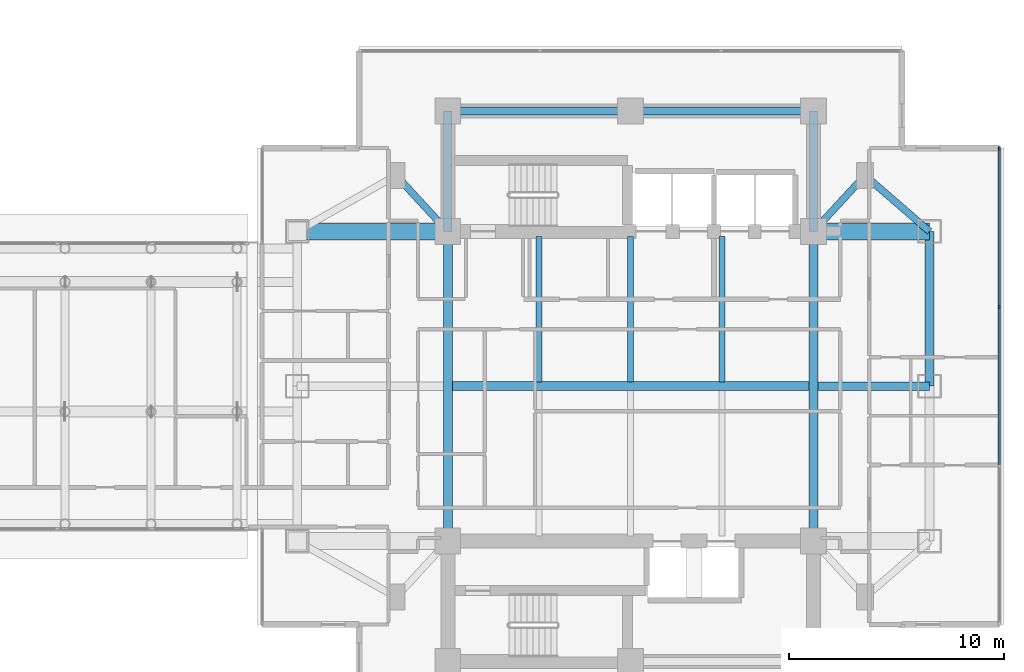
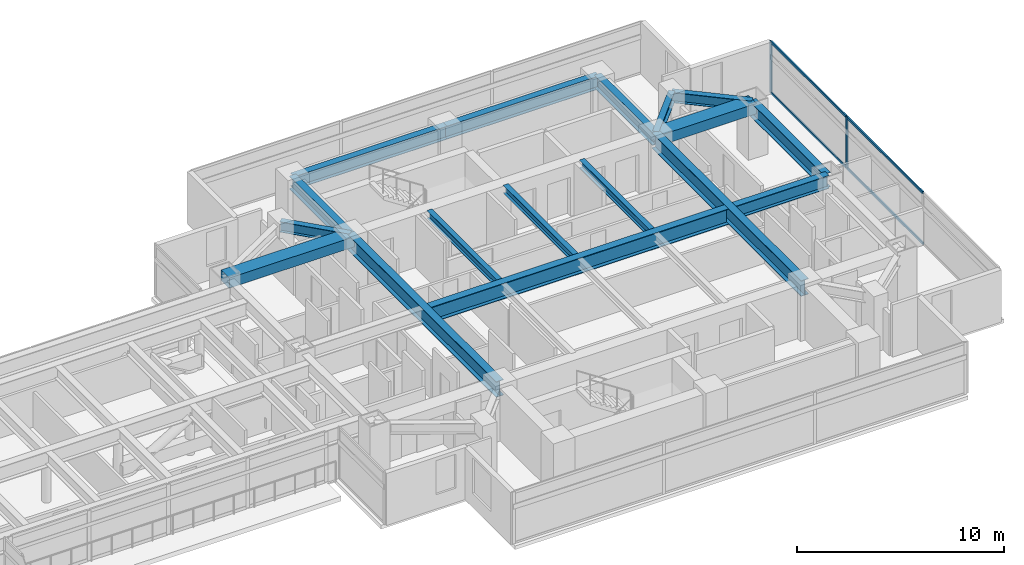
# One storey, part 10 of 29: 17 beams, 6 members, 1 element without a shape of its own.
"""IFC4 building model written with IfcOpenShell, lengths in metres."""

from ifc_helpers import new_model, si_unit, direction, frame, origin, origin_2d, place, context, subcontext, project, spatial, rectangle, i_section, extrude, material, material_profile, profile_set, type_object, element, aggregate, save


model = new_model("IFC4")

# Units and contexts
model_context = context("Model", 3, precision=1e-05, world=origin(), true_north=direction((0.0, 1.0)))
body_context = subcontext(model_context, "Body", "Model", "MODEL_VIEW")
ifc_project = project(units=[si_unit("LENGTHUNIT", "METRE"), si_unit("AREAUNIT", "SQUARE_METRE"), si_unit("VOLUMEUNIT", "CUBIC_METRE"), si_unit("PLANEANGLEUNIT", "RADIAN"), si_unit("MASSUNIT", "GRAM", prefix="KILO")], contexts=[model_context])

# Site, building, storey
site_placement = place(None, origin())
site = spatial("IfcSite", under=ifc_project, at=site_placement, CompositionType="ELEMENT")
building_placement = place(site_placement, origin())
building = spatial("IfcBuilding", under=site, at=building_placement, Name="Mirazonda Arch Towers", CompositionType="ELEMENT")
storey_placement = place(building_placement, frame((0.0, 0.0, 88.39990234375)))
storey = spatial("IfcBuildingStorey", under=building, at=storey_placement, Name="L24", CompositionType="ELEMENT", Elevation=88.39990234375)

# Beams
ifc_material_1 = material(Name="Steel ASTM A992 Grade 50", Category="steel")
ifc_material_profile_1 = material_profile(ifc_material_1, i_section(OverallWidth=0.39990234375, OverallDepth=0.85595703125, WebThickness=0.018310546875, FlangeThickness=0.029296875, at=origin_2d()), Name="W33X201")
ifc_profile_set_1 = profile_set([ifc_material_profile_1], Name="Steel ASTM A992 Grade 50")
beam_type_1 = type_object("IfcBeamType", Name="BM-EXT-W33X201", PredefinedType="USERDEFINED", material=ifc_profile_set_1)
beam_1_placement = place(storey_placement, frame((90.39990234375, 28.0, 2.652099609375), z_axis=(0.0, 1.0, 0.0), x_axis=(-1.0, 0.0, 0.0)))
element("IfcBeam", 1, at=beam_1_placement, inside=storey, type_object=beam_type_1, Name="L24 Floor Beam BM-T2-L24-NS-E-28", ObjectType="GIRDER", PredefinedType="USERDEFINED", context=body_context, shape_type="SweptSolid", body=[
    extrude(i_section(OverallWidth=0.39990234375, OverallDepth=0.85595703125, WebThickness=0.018310546875, FlangeThickness=0.029296875, at=origin_2d()), origin(), (0.0, 0.0, 1.0), 7.199951171875),
])
ifc_material_profile_2 = material_profile(ifc_material_1, i_section(OverallWidth=0.280029296875, OverallDepth=0.462890625, WebThickness=0.0107421875, FlangeThickness=0.017333984375, at=origin_2d()), Name="W18X76")
ifc_profile_set_2 = profile_set([ifc_material_profile_2], Name="Steel ASTM A992 Grade 50")
beam_type_2 = type_object("IfcBeamType", Name="BM-INT-W18X76", PredefinedType="JOIST", material=ifc_profile_set_2)
for number, where, z_axis, x_axis, name in (
    (2, (72.25, 28.205078125, 2.8486328125), (0.0, 1.0, 0.0), (-1.0, 0.0, 0.0), "L24 Floor Beam BM-T2-L24-J-722-28"),
    (3, (76.5, 28.205078125, 2.8486328125), (0.0, 1.0, 0.0), (-1.0, 0.0, 0.0), "L24 Floor Beam BM-T2-L24-J-765-28"),
    (4, (80.75, 28.205078125, 2.8486328125), (0.0, 1.0, 0.0), (-1.0, 0.0, 0.0), "L24 Floor Beam BM-T2-L24-J-807-28"),
):
    element("IfcBeam", number, at=place(storey_placement, frame(where, z_axis=z_axis, x_axis=x_axis)), inside=storey, type_object=beam_type_2, Name=name, PredefinedType="JOIST", context=body_context, shape_type="SweptSolid", body=[
        extrude(i_section(OverallWidth=0.280029296875, OverallDepth=0.462890625, WebThickness=0.0107421875, FlangeThickness=0.017333984375, at=origin_2d()), origin(), (0.0, 0.0, 1.0), 6.7548828125),
    ])
ifc_material_profile_3 = material_profile(ifc_material_1, i_section(OverallWidth=0.324951171875, OverallDepth=0.615966796875, WebThickness=0.013916015625, FlangeThickness=0.021484375, at=origin_2d()), Name="W24X117")
ifc_profile_set_3 = profile_set([ifc_material_profile_3], Name="Steel ASTM A992 Grade 50")
beam_type_3 = type_object("IfcBeamType", Name="BM-INT-W24X117", PredefinedType="BEAM", material=ifc_profile_set_3)
for number, where, z_axis, x_axis, name in (
    (5, (65.60009765625, 37.800048828125, 2.772216796875), (0.678251444854, -0.734829897019, 0.0), (0.734829897019, 0.678251444854, 0.0), "L24 Floor Beam BM-T2-L24-PL-NW1"),
    (6, (87.39990234375, 37.800048828125, 2.772216796875), (-0.678251444854, -0.734829897019, 0.0), (0.734829897019, -0.678251444854, 0.0), "L24 Floor Beam BM-T2-L24-PL-NE1"),
):
    element("IfcBeam", number, at=place(storey_placement, frame(where, z_axis=z_axis, x_axis=x_axis)), inside=storey, type_object=beam_type_3, Name=name, PredefinedType="BEAM", context=body_context, shape_type="SweptSolid", body=[
        extrude(i_section(OverallWidth=0.324951171875, OverallDepth=0.615966796875, WebThickness=0.013916015625, FlangeThickness=0.021484375, at=origin_2d()), origin(), (0.0, 0.0, 1.0), 3.538330078125),
    ])
beam_2_placement = place(storey_placement, frame((87.39990234375, 37.800048828125, 2.772216796875), z_axis=(0.755676908098, -0.654944585876, 0.0), x_axis=(0.654944585876, 0.755676908098, 0.0)))
element("IfcBeam", 7, at=beam_2_placement, inside=storey, type_object=beam_type_3, Name="L24 Floor Beam BM-T2-L24-PL-NE2", PredefinedType="BEAM", context=body_context, shape_type="SweptSolid", body=[
    extrude(i_section(OverallWidth=0.324951171875, OverallDepth=0.615966796875, WebThickness=0.013916015625, FlangeThickness=0.021484375, at=origin_2d()), origin(), (0.0, 0.0, 1.0), 3.969970703125),
])
ifc_material_profile_4 = material_profile(ifc_material_1, i_section(OverallWidth=0.381103515625, OverallDepth=0.77294921875, WebThickness=0.0166015625, FlangeThickness=0.027099609375, at=origin_2d()), Name="W30X173")
ifc_profile_set_4 = profile_set([ifc_material_profile_4], Name="Steel ASTM A992 Grade 50")
beam_type_4 = type_object("IfcBeamType", Name="BM-INT-W30X173", PredefinedType="USERDEFINED", material=ifc_profile_set_4)
for number, where, z_axis, x_axis, name in (
    (8, (68.0, 40.800048828125, 2.693603515625), (1.0, 0.0, 0.0), (0.0, 1.0, 0.0), "L24 Floor Beam BM-T2-L24-CN1"),
    (9, (76.5, 40.800048828125, 2.693603515625), (1.0, 0.0, 0.0), (0.0, 1.0, 0.0), "L24 Floor Beam BM-T2-L24-CN2"),
):
    element("IfcBeam", number, at=place(storey_placement, frame(where, z_axis=z_axis, x_axis=x_axis)), inside=storey, type_object=beam_type_4, Name=name, ObjectType="GIRDER", PredefinedType="USERDEFINED", context=body_context, shape_type="SweptSolid", body=[
        extrude(i_section(OverallWidth=0.381103515625, OverallDepth=0.77294921875, WebThickness=0.0166015625, FlangeThickness=0.027099609375, at=origin_2d()), origin(), (0.0, 0.0, 1.0), 8.5),
    ])
for number, where, z_axis, x_axis, name in (
    (10, (68.0, 35.199951171875, 2.693603515625), (0.0, 1.0, 0.0), (-1.0, 0.0, 0.0), "L24 Floor Beam BM-T2-L24-CNW"),
    (11, (85.0, 35.199951171875, 2.693603515625), (0.0, 1.0, 0.0), (-1.0, 0.0, 0.0), "L24 Floor Beam BM-T2-L24-CNE"),
):
    element("IfcBeam", number, at=place(storey_placement, frame(where, z_axis=z_axis, x_axis=x_axis)), inside=storey, type_object=beam_type_4, Name=name, ObjectType="GIRDER", PredefinedType="USERDEFINED", context=body_context, shape_type="SweptSolid", body=[
        extrude(i_section(OverallWidth=0.381103515625, OverallDepth=0.77294921875, WebThickness=0.0166015625, FlangeThickness=0.027099609375, at=origin_2d()), origin(), (0.0, 0.0, 1.0), 5.60009765625),
    ])
beam_3_placement = place(storey_placement, frame((85.208984375, 28.0, 2.693603515625), z_axis=(1.0, 0.0, 0.0), x_axis=(0.0, 1.0, 0.0)))
element("IfcBeam", 12, at=beam_3_placement, inside=storey, type_object=beam_type_4, Name="L24 Floor Beam BM-T2-L24-GE2", ObjectType="GIRDER", PredefinedType="USERDEFINED", context=body_context, shape_type="SweptSolid", body=[
    extrude(i_section(OverallWidth=0.381103515625, OverallDepth=0.77294921875, WebThickness=0.0166015625, FlangeThickness=0.027099609375, at=origin_2d()), origin(), (0.0, 0.0, 1.0), 5.19091796875),
])
ifc_material_profile_5 = material_profile(ifc_material_1, i_section(OverallWidth=0.41796875, OverallDepth=0.927001953125, WebThickness=0.019287109375, FlangeThickness=0.031982421875, at=origin_2d()), Name="W36X231")
ifc_profile_set_5 = profile_set([ifc_material_profile_5], Name="Steel ASTM A992 Grade 50")
beam_type_5 = type_object("IfcBeamType", Name="BM-INT-W36X231", PredefinedType="USERDEFINED", material=ifc_profile_set_5)
beam_4_placement = place(storey_placement, frame((68.208984375, 28.0, 2.61669921875), z_axis=(1.0, 0.0, 0.0), x_axis=(0.0, 1.0, 0.0)))
element("IfcBeam", 13, at=beam_4_placement, inside=storey, type_object=beam_type_5, Name="L24 Floor Beam BM-T2-L24-GC2", ObjectType="GIRDER", PredefinedType="USERDEFINED", context=body_context, shape_type="SweptSolid", body=[
    extrude(i_section(OverallWidth=0.41796875, OverallDepth=0.927001953125, WebThickness=0.019287109375, FlangeThickness=0.031982421875, at=origin_2d()), origin(), (0.0, 0.0, 1.0), 16.58203125),
])
for number, where, z_axis, x_axis, name in (
    (14, (68.0, 20.800048828125, 2.61669921875), (0.0, 1.0, 0.0), (-1.0, 0.0, 0.0), "L24 Floor Beam BM-T2-L24-NS-CW-FULL"),
    (15, (85.0, 20.800048828125, 2.61669921875), (0.0, 1.0, 0.0), (-1.0, 0.0, 0.0), "L24 Floor Beam BM-T2-L24-NS-CE-FULL"),
):
    element("IfcBeam", number, at=place(storey_placement, frame(where, z_axis=z_axis, x_axis=x_axis)), inside=storey, type_object=beam_type_5, Name=name, ObjectType="GIRDER", PredefinedType="USERDEFINED", context=body_context, shape_type="SweptSolid", body=[
        extrude(i_section(OverallWidth=0.41796875, OverallDepth=0.927001953125, WebThickness=0.019287109375, FlangeThickness=0.031982421875, at=origin_2d()), origin(), (0.0, 0.0, 1.0), 14.39990234375),
    ])
ifc_material_2 = material(Name="Concrete C60/75", Category="concrete")
ifc_material_profile_6 = material_profile(ifc_material_2, rectangle(XDim=0.800048828125, YDim=0.60009765625, at=origin_2d()), Name="RCCB800x600")
ifc_profile_set_6 = profile_set([ifc_material_profile_6], Name="Concrete C60/75")
beam_type_6 = type_object("IfcBeamType", Name="CB-INT-RCCB800x600", PredefinedType="SPANDREL", material=ifc_profile_set_6)
beam_5_placement = place(storey_placement, frame((61.0, 35.199951171875, 2.780029296875), z_axis=(1.0, 0.0, 0.0), x_axis=(0.0, 1.0, 0.0)))
element("IfcBeam", 16, at=beam_5_placement, inside=storey, type_object=beam_type_6, Name="L24 Floor Beam CBC-T2-L24-NW", PredefinedType="SPANDREL", context=body_context, shape_type="SweptSolid", body=[
    extrude(rectangle(XDim=0.800048828125, YDim=0.60009765625, at=origin_2d()), origin(), (0.0, 0.0, 1.0), 7.0),
])
beam_6_placement = place(storey_placement, frame((85.0, 35.199951171875, 2.780029296875), z_axis=(1.0, 0.0, 0.0), x_axis=(0.0, 1.0, 0.0)))
element("IfcBeam", 17, at=beam_6_placement, inside=storey, type_object=beam_type_6, Name="L24 Floor Beam CBC-T2-L24-NE", PredefinedType="SPANDREL", context=body_context, shape_type="SweptSolid", body=[
    extrude(rectangle(XDim=0.800048828125, YDim=0.60009765625, at=origin_2d()), origin(), (0.0, 0.0, 1.0), 5.39990234375),
])

# Curtain wall, members
ifc_material_3 = material(Name="Anodised Aluminium and Low-E Glass", Category="aluminium")
curtain_wall_type = type_object("IfcCurtainWallType", Name="CW-HTL-UNIT", PredefinedType="NOTDEFINED", material=ifc_material_3)
curtain_wall_placement = place(storey_placement, origin())
curtain_wall = element("IfcCurtainWall", 18, at=curtain_wall_placement, inside=storey, type_object=curtain_wall_type, Name="L24 T2 E Facade CW-L24-T2-E", PredefinedType="NOTDEFINED")
ifc_material_4 = material(Name="Anodised Aluminium Alloy", Category="aluminium")
ifc_material_profile_7 = material_profile(ifc_material_4, rectangle(XDim=0.074951171875, YDim=0.1650390625, at=origin_2d()), Name="ALU-MULL-75x165")
ifc_profile_set_7 = profile_set([ifc_material_profile_7], Name="Anodised Aluminium Alloy")
member_type_1 = type_object("IfcMemberType", Name="MULL-CW-HTL-UNIT", PredefinedType="MULLION", material=ifc_profile_set_7)
member_1_placement = place(storey_placement, frame((93.642578125, 31.69384765625, 0.0), z_axis=(0.0, 0.0, 1.0), x_axis=(-1.0, 0.0, 0.0)))
member_1 = element("IfcMember", 19, at=member_1_placement, type_object=member_type_1, Name="CW-112 mullion 3", PredefinedType="MULLION", context=body_context, shape_type="SweptSolid", body=[
    extrude(rectangle(XDim=0.074951171875, YDim=0.1650390625, at=origin_2d()), origin(), (0.0, 0.0, 1.0), 3.06005859375),
])
member_2_placement = place(storey_placement, frame((93.642578125, 39.043701171875, 0.0), z_axis=(0.0, 0.0, 1.0), x_axis=(-1.0, 0.0, 0.0)))
member_2 = element("IfcMember", 20, at=member_2_placement, type_object=member_type_1, Name="CW-112 mullion 4", PredefinedType="MULLION", context=body_context, shape_type="SweptSolid", body=[
    extrude(rectangle(XDim=0.074951171875, YDim=0.1650390625, at=origin_2d()), origin(), (0.0, 0.0, 1.0), 3.06005859375),
])
ifc_material_profile_8 = material_profile(ifc_material_4, rectangle(XDim=0.074951171875, YDim=0.14501953125, at=origin_2d()), Name="ALU-TRAN-75x145")
ifc_profile_set_8 = profile_set([ifc_material_profile_8], Name="Anodised Aluminium Alloy")
member_type_2 = type_object("IfcMemberType", Name="TRAN-CW-HTL-UNIT", PredefinedType="USERDEFINED", material=ifc_profile_set_8)
member_3_placement = place(storey_placement, frame((93.642578125, 24.34375, 0.03759765625), z_axis=(0.0, 1.0, 0.0), x_axis=(-1.0, 0.0, 0.0)))
member_3 = element("IfcMember", 21, at=member_3_placement, type_object=member_type_2, Name="CW-112 transom 2.1", ObjectType="TRANSOM", PredefinedType="USERDEFINED", context=body_context, shape_type="SweptSolid", body=[
    extrude(rectangle(XDim=0.074951171875, YDim=0.14501953125, at=origin_2d()), origin(), (0.0, 0.0, 1.0), 7.3125),
])
member_4_placement = place(storey_placement, frame((93.642578125, 24.34375, 3.022705078125), z_axis=(0.0, 1.0, 0.0), x_axis=(-1.0, 0.0, 0.0)))
member_4 = element("IfcMember", 22, at=member_4_placement, type_object=member_type_2, Name="CW-112 transom 2.2", ObjectType="TRANSOM", PredefinedType="USERDEFINED", context=body_context, shape_type="SweptSolid", body=[
    extrude(rectangle(XDim=0.074951171875, YDim=0.14501953125, at=origin_2d()), origin(), (0.0, 0.0, 1.0), 7.3125),
])
member_5_placement = place(storey_placement, frame((93.642578125, 31.731201171875, 0.03759765625), z_axis=(0.0, 1.0, 0.0), x_axis=(-1.0, 0.0, 0.0)))
member_5 = element("IfcMember", 23, at=member_5_placement, type_object=member_type_2, Name="CW-112 transom 3.1", ObjectType="TRANSOM", PredefinedType="USERDEFINED", context=body_context, shape_type="SweptSolid", body=[
    extrude(rectangle(XDim=0.074951171875, YDim=0.14501953125, at=origin_2d()), origin(), (0.0, 0.0, 1.0), 7.27490234375),
])
member_6_placement = place(storey_placement, frame((93.642578125, 31.731201171875, 3.022705078125), z_axis=(0.0, 1.0, 0.0), x_axis=(-1.0, 0.0, 0.0)))
member_6 = element("IfcMember", 24, at=member_6_placement, type_object=member_type_2, Name="CW-112 transom 3.2", ObjectType="TRANSOM", PredefinedType="USERDEFINED", context=body_context, shape_type="SweptSolid", body=[
    extrude(rectangle(XDim=0.074951171875, YDim=0.14501953125, at=origin_2d()), origin(), (0.0, 0.0, 1.0), 7.27490234375),
])
aggregate(curtain_wall, [member_1, member_2, member_3, member_4, member_5, member_6])

save(model, "model.ifc")
